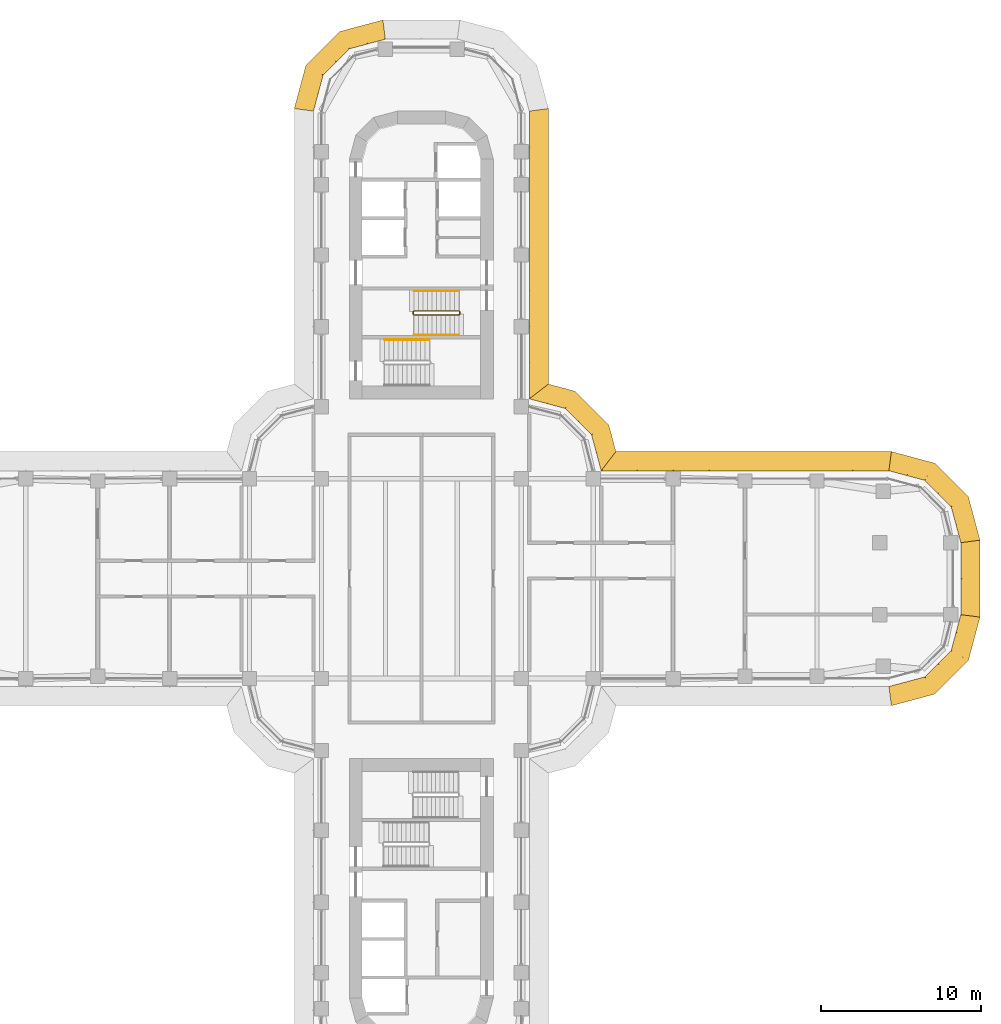
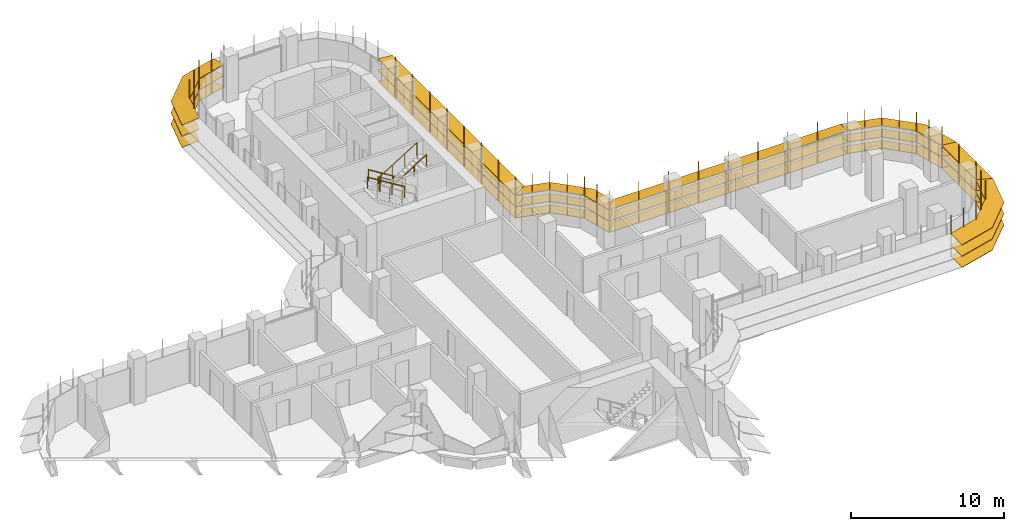
# One storey, part 22 of 23: 7 shading devices, 4 railings.
"""IFC4 building model written with IfcOpenShell, lengths in metres."""

from ifc_helpers import new_model, si_unit, direction, frame, origin, origin_2d, place, context, subcontext, project, spatial, polyline, circle, outline, extrude, faceted_brep, source, transform, mapped, material, type_object, element, save


model = new_model("IFC4")

# Units and contexts
model_context = context("Model", 3, precision=1e-05, world=origin(), true_north=direction((0.0, 1.0)))
body_context = subcontext(model_context, "Body", "Model", "MODEL_VIEW")
ifc_project = project(units=[si_unit("LENGTHUNIT", "METRE"), si_unit("AREAUNIT", "SQUARE_METRE"), si_unit("VOLUMEUNIT", "CUBIC_METRE"), si_unit("PLANEANGLEUNIT", "RADIAN"), si_unit("MASSUNIT", "GRAM", prefix="KILO")], contexts=[model_context])

# Site, building, storey
site_placement = place(None, origin())
site = spatial("IfcSite", under=ifc_project, at=site_placement, CompositionType="ELEMENT")
building_placement = place(site_placement, origin())
building = spatial("IfcBuilding", under=site, at=building_placement, Name="Zarbagh Exchange Tower", CompositionType="ELEMENT")
storey_placement = place(building_placement, frame((0.0, 0.0, 86.60009765625)))
storey = spatial("IfcBuildingStorey", under=building, at=storey_placement, Name="L19", CompositionType="ELEMENT", Elevation=86.60009765625)

# Railings
ifc_material_1 = material(Name="Stainless steel", Category="steel")
railing_type_1 = type_object("IfcRailingType", Name="Stair guard 1100 mm", PredefinedType="GUARDRAIL", material=ifc_material_1)
railing_1_placement = place(storey_placement, frame((-0.449951171875, 16.5, 2.072509765625)))
element("IfcRailing", 1, at=railing_1_placement, inside=storey, type_object=railing_type_1, Name="ST1 stair guard 1", PredefinedType="GUARDRAIL", context=body_context, shape_type="SweptSolid", body=[
    extrude(circle(Radius=0.02392578125, at=origin_2d()), frame((0.0, 0.0, 1.076171875), z_axis=(0.851089632645, 0.0, 0.525020415988), x_axis=(0.0, 1.0, 0.0)), (0.0, 0.0, 1.0), 3.2900390625),
    extrude(circle(Radius=0.02392578125, at=origin_2d()), frame((2.800048828125, 0.0, 2.80322265625), z_axis=(0.013104908129, 0.013169147875, -0.999827402569), x_axis=(-0.708833529934, 0.705375805398, 0.0)), (0.0, 0.0, 1.0), 3.800537109375),
    extrude(circle(Radius=0.02392578125, at=origin_2d()), frame((2.849853515625, 0.050048828125, -0.99658203125), z_axis=(0.0, 1.0, 0.0), x_axis=(-1.0, 0.0, 0.0)), (0.0, 0.0, 1.0), 0.14990234375),
    extrude(circle(Radius=0.02392578125, at=origin_2d()), frame((2.849853515625, 0.199951171875, -0.99658203125), z_axis=(-0.267062837333, 0.268371968888, 0.925556009775), x_axis=(-0.708833529934, -0.705375805398, 0.0)), (0.0, 0.0, 1.0), 0.1865234375),
    extrude(circle(Radius=0.02392578125, at=origin_2d()), frame((2.800048828125, 0.25, -0.82373046875), z_axis=(-0.851089632645, 0.0, 0.525020415988), x_axis=(0.0, -1.0, 0.0)), (0.0, 0.0, 1.0), 3.2900390625),
    extrude(circle(Radius=0.02392578125, at=origin_2d()), frame((0.0, 0.25, 0.9033203125), z_axis=(-0.707106781187, -0.707106781187, 0.0), x_axis=(0.707106781187, -0.707106781187, 0.0)), (0.0, 0.0, 1.0), 0.07080078125),
    extrude(circle(Radius=0.02392578125, at=origin_2d()), frame((-0.050048828125, 0.199951171875, 0.9033203125), z_axis=(0.0, -1.0, 0.0), x_axis=(1.0, 0.0, 0.0)), (0.0, 0.0, 1.0), 0.14990234375),
    extrude(circle(Radius=0.02099609375, at=origin_2d()), origin(), (0.0, 0.0, 1.0), 1.052001953125),
    extrude(circle(Radius=0.02099609375, at=origin_2d()), frame((0.933349609375, 0.0, 0.57568359375)), (0.0, 0.0, 1.0), 1.052001953125),
    extrude(circle(Radius=0.02099609375, at=origin_2d()), frame((1.86669921875, 0.0, 1.151611328125)), (0.0, 0.0, 1.0), 1.052001953125),
    extrude(circle(Radius=0.02099609375, at=origin_2d()), frame((2.800048828125, 0.0, 1.727294921875)), (0.0, 0.0, 1.0), 1.052001953125),
    extrude(circle(Radius=0.02099609375, at=origin_2d()), frame((2.8125, 0.012451171875, 0.77734375)), (0.0, 0.0, 1.0), 1.052001953125),
    extrude(circle(Radius=0.02099609375, at=origin_2d()), frame((2.824951171875, 0.02490234375, -0.172607421875)), (0.0, 0.0, 1.0), 1.052001953125),
    extrude(circle(Radius=0.02099609375, at=origin_2d()), frame((2.83740234375, 0.03759765625, -1.12255859375)), (0.0, 0.0, 1.0), 1.052001953125),
    extrude(circle(Radius=0.02099609375, at=origin_2d()), frame((2.849853515625, 0.050048828125, -2.072509765625)), (0.0, 0.0, 1.0), 1.052001953125),
    extrude(circle(Radius=0.02099609375, at=origin_2d()), frame((2.849853515625, 0.199951171875, -2.072509765625)), (0.0, 0.0, 1.0), 1.052001953125),
    extrude(circle(Radius=0.02099609375, at=origin_2d()), frame((2.800048828125, 0.25, -1.89990234375)), (0.0, 0.0, 1.0), 1.052001953125),
    extrude(circle(Radius=0.02099609375, at=origin_2d()), frame((1.86669921875, 0.25, -1.32421875)), (0.0, 0.0, 1.0), 1.052001953125),
    extrude(circle(Radius=0.02099609375, at=origin_2d()), frame((0.933349609375, 0.25, -0.748291015625)), (0.0, 0.0, 1.0), 1.052001953125),
    extrude(circle(Radius=0.02099609375, at=origin_2d()), frame((0.0, 0.25, -0.172607421875)), (0.0, 0.0, 1.0), 1.052001953125),
    extrude(circle(Radius=0.02099609375, at=origin_2d()), frame((-0.050048828125, 0.199951171875, -0.172607421875)), (0.0, 0.0, 1.0), 1.052001953125),
    extrude(circle(Radius=0.02099609375, at=origin_2d()), frame((-0.050048828125, 0.050048828125, -0.172607421875)), (0.0, 0.0, 1.0), 1.052001953125),
])
railing_type_2 = type_object("IfcRailingType", Name="Stair handrail 900 mm", PredefinedType="HANDRAIL", material=ifc_material_1)
railing_2_placement = place(storey_placement, frame((2.35009765625, 18.0, 0.172607421875)))
element("IfcRailing", 2, at=railing_2_placement, inside=storey, type_object=railing_type_2, Name="ST1 stair handrail 1", PredefinedType="HANDRAIL", context=body_context, shape_type="SweptSolid", body=[
    extrude(circle(Radius=0.02392578125, at=origin_2d()), frame((0.0, 0.0, 0.8759765625), z_axis=(-0.851089632645, 0.0, 0.525020415988), x_axis=(0.0, -1.0, 0.0)), (0.0, 0.0, 1.0), 3.2900390625),
    extrude(circle(Radius=0.02099609375, at=origin_2d()), origin(), (0.0, 0.0, 1.0), 0.851806640625),
    extrude(circle(Radius=0.02099609375, at=origin_2d()), frame((-0.933349609375, 0.0, 0.57568359375)), (0.0, 0.0, 1.0), 0.851806640625),
    extrude(circle(Radius=0.02099609375, at=origin_2d()), frame((-1.86669921875, 0.0, 1.151611328125)), (0.0, 0.0, 1.0), 0.851806640625),
    extrude(circle(Radius=0.02099609375, at=origin_2d()), frame((-2.800048828125, 0.0, 1.727294921875)), (0.0, 0.0, 1.0), 0.851806640625),
])
railing_3_placement = place(storey_placement, frame((-0.449951171875, 15.25, 2.072509765625)))
element("IfcRailing", 3, at=railing_3_placement, inside=storey, type_object=railing_type_2, Name="ST1 stair handrail 2", PredefinedType="HANDRAIL", context=body_context, shape_type="SweptSolid", body=[
    extrude(circle(Radius=0.02392578125, at=origin_2d()), frame((0.0, 0.0, 0.8759765625), z_axis=(0.851089632645, 0.0, 0.525020415988), x_axis=(0.0, 1.0, 0.0)), (0.0, 0.0, 1.0), 3.2900390625),
    extrude(circle(Radius=0.02099609375, at=origin_2d()), origin(), (0.0, 0.0, 1.0), 0.851806640625),
    extrude(circle(Radius=0.02099609375, at=origin_2d()), frame((0.933349609375, 0.0, 0.57568359375)), (0.0, 0.0, 1.0), 0.851806640625),
    extrude(circle(Radius=0.02099609375, at=origin_2d()), frame((1.86669921875, 0.0, 1.151611328125)), (0.0, 0.0, 1.0), 0.851806640625),
    extrude(circle(Radius=0.02099609375, at=origin_2d()), frame((2.800048828125, 0.0, 1.727294921875)), (0.0, 0.0, 1.0), 0.851806640625),
])
railing_4_placement = place(storey_placement, frame((0.5, 14.949951171875, 2.072509765625)))
element("IfcRailing", 4, at=railing_4_placement, inside=storey, type_object=railing_type_2, Name="ST2 stair handrail 2", PredefinedType="HANDRAIL", context=body_context, shape_type="SweptSolid", body=[
    extrude(circle(Radius=0.02392578125, at=origin_2d()), frame((0.0, 0.0, 0.8759765625), z_axis=(-0.851089632645, 0.0, 0.525020415988), x_axis=(0.0, -1.0, 0.0)), (0.0, 0.0, 1.0), 3.2900390625),
    extrude(circle(Radius=0.02099609375, at=origin_2d()), origin(), (0.0, 0.0, 1.0), 0.851806640625),
    extrude(circle(Radius=0.02099609375, at=origin_2d()), frame((-0.933349609375, 0.0, 0.57568359375)), (0.0, 0.0, 1.0), 0.851806640625),
    extrude(circle(Radius=0.02099609375, at=origin_2d()), frame((-1.86669921875, 0.0, 1.151611328125)), (0.0, 0.0, 1.0), 0.851806640625),
    extrude(circle(Radius=0.02099609375, at=origin_2d()), frame((-2.800048828125, 0.0, 1.727294921875)), (0.0, 0.0, 1.0), 0.851806640625),
])

# Shading devices
ifc_material_2 = material(Name="Anodised aluminium blades and brackets", Category="aluminium")
shading_device_type = type_object("IfcShadingDeviceType", Name="SUNSHADE louvre band, 11.25 degree blades", PredefinedType="JALOUSIE", material=ifc_material_2)
shared_shape_1 = source(origin(), body_context, "Body", "Brep", [
    faceted_brep([(0.0, 0.0, 0.0), (0.0, 0.0, -0.040771484375), (-0.157958984375, -1.199951171875, -0.279541015625), (-0.157958984375, -1.199951171875, -0.23876953125), (2.65087890625, -1.199951171875, -0.23876953125), (2.65087890625, -1.199951171875, -0.279541015625), (2.329345703125, 0.0, -0.040771484375), (2.329345703125, 0.0, 0.0)], [[[0, 1, 2, 3]], [[4, 5, 6, 7]], [[0, 7, 6, 1]], [[1, 6, 5, 2]], [[2, 5, 4, 3]], [[3, 4, 7, 0]]]),
])
shared_shape_2 = source(origin(), body_context, "Body", "Brep", [
    faceted_brep([(0.0, 0.0, 0.0), (0.0, 0.0, -0.040771484375), (-0.321533203125, -1.199951171875, -0.279541015625), (-0.321533203125, -1.199951171875, -0.23876953125), (2.65087890625, -1.199951171875, -0.23876953125), (2.65087890625, -1.199951171875, -0.279541015625), (2.329345703125, 0.0, -0.040771484375), (2.329345703125, 0.0, 0.0)], [[[0, 1, 2, 3]], [[4, 5, 6, 7]], [[0, 7, 6, 1]], [[1, 6, 5, 2]], [[2, 5, 4, 3]], [[3, 4, 7, 0]]]),
])
shared_shape_3 = source(origin(), body_context, "Body", "Brep", [
    faceted_brep([(0.0, 0.0, 0.0), (0.0, 0.0, -0.040771484375), (-0.321533203125, -1.199951171875, -0.279541015625), (-0.321533203125, -1.199951171875, -0.23876953125), (2.4873046875, -1.199951171875, -0.23876953125), (2.4873046875, -1.199951171875, -0.279541015625), (2.329345703125, 0.0, -0.040771484375), (2.329345703125, 0.0, 0.0)], [[[0, 1, 2, 3]], [[4, 5, 6, 7]], [[0, 7, 6, 1]], [[1, 6, 5, 2]], [[2, 5, 4, 3]], [[3, 4, 7, 0]]]),
])
shared_shape_4 = source(origin(), body_context, "Body", "SweptSolid", [
    extrude(outline(polyline([(0.0, -0.012451171875), (0.06005859375, -0.012451171875), (0.06005859375, 0.012451171875), (0.0, 0.012451171875), (0.0, -0.012451171875)])), origin(), (0.0, 0.0, 1.0), 3.350830078125),
])
placement = place(storey_placement, origin())
element("IfcShadingDevice", 5, at=placement, inside=storey, type_object=shading_device_type, Name="SS05 sunshade band", PredefinedType="JALOUSIE", context=body_context, shape_type="MappedRepresentation", body=[
    mapped(shared_shape_1, transform((29.25, -6.75, 2.2998046875), x_axis=(0.965924289636, 0.258824779902, 0.0), y_axis=(-0.258824779902, 0.965924289636, 0.0), z_axis=(0.0, 0.0, 1.0))),
    mapped(shared_shape_1, transform((29.25, -6.75, 1.39990234375), x_axis=(0.965924289636, 0.258824779902, 0.0), y_axis=(-0.258824779902, 0.965924289636, 0.0), z_axis=(0.0, 0.0, 1.0))),
    mapped(shared_shape_1, transform((29.25, -6.75, 0.5), x_axis=(0.965924289636, 0.258824779902, 0.0), y_axis=(-0.258824779902, 0.965924289636, 0.0), z_axis=(0.0, 0.0, 1.0))),
    mapped(shared_shape_2, transform((31.5, -6.147216796875, 2.2998046875), x_axis=(0.707106781187, 0.707106781187, 0.0), y_axis=(-0.707106781187, 0.707106781187, 0.0), z_axis=(0.0, 0.0, 1.0))),
    mapped(shared_shape_2, transform((31.5, -6.147216796875, 1.39990234375), x_axis=(0.707106781187, 0.707106781187, 0.0), y_axis=(-0.707106781187, 0.707106781187, 0.0), z_axis=(0.0, 0.0, 1.0))),
    mapped(shared_shape_2, transform((31.5, -6.147216796875, 0.5), x_axis=(0.707106781187, 0.707106781187, 0.0), y_axis=(-0.707106781187, 0.707106781187, 0.0), z_axis=(0.0, 0.0, 1.0))),
    mapped(shared_shape_3, transform((33.147216796875, -4.5, 2.2998046875), x_axis=(0.258824779902, 0.965924289636, 0.0), y_axis=(-0.965924289636, 0.258824779902, 0.0), z_axis=(0.0, 0.0, 1.0))),
    mapped(shared_shape_3, transform((33.147216796875, -4.5, 1.39990234375), x_axis=(0.258824779902, 0.965924289636, 0.0), y_axis=(-0.965924289636, 0.258824779902, 0.0), z_axis=(0.0, 0.0, 1.0))),
    mapped(shared_shape_3, transform((33.147216796875, -4.5, 0.5), x_axis=(0.258824779902, 0.965924289636, 0.0), y_axis=(-0.965924289636, 0.258824779902, 0.0), z_axis=(0.0, 0.0, 1.0))),
    mapped(shared_shape_4, transform((29.25, -6.75, 0.42919921875), x_axis=(0.130529263012, -0.991444457092, 0.0), y_axis=(0.991444457092, 0.130529263012, 0.0), z_axis=(0.0, 0.0, 1.0))),
    mapped(shared_shape_4, transform((30.375, -6.448486328125, 0.42919921875), x_axis=(0.258825058029, -0.96592421511, 0.0), y_axis=(0.96592421511, 0.258825058029, 0.0), z_axis=(0.0, 0.0, 1.0))),
    mapped(shared_shape_4, transform((31.5, -6.147216796875, 0.42919921875), x_axis=(0.50000275701, -0.866023812018, 0.0), y_axis=(0.866023812018, 0.50000275701, 0.0), z_axis=(0.0, 0.0, 1.0))),
    mapped(shared_shape_4, transform((32.323486328125, -5.323486328125, 0.42919921875), x_axis=(0.707106781187, -0.707106781187, 0.0), y_axis=(0.707106781187, 0.707106781187, 0.0), z_axis=(0.0, 0.0, 1.0))),
    mapped(shared_shape_4, transform((33.147216796875, -4.5, 0.42919921875), x_axis=(0.866023812018, -0.50000275701, 0.0), y_axis=(0.50000275701, 0.866023812018, 0.0), z_axis=(0.0, 0.0, 1.0))),
    mapped(shared_shape_4, transform((33.448486328125, -3.375, 0.42919921875), x_axis=(0.96592421511, -0.258825058029, 0.0), y_axis=(0.258825058029, 0.96592421511, 0.0), z_axis=(0.0, 0.0, 1.0))),
])
element("IfcShadingDevice", 6, at=placement, inside=storey, type_object=shading_device_type, Name="SS07 sunshade band", PredefinedType="JALOUSIE", context=body_context, shape_type="MappedRepresentation", body=[
    mapped(shared_shape_1, transform((33.75, 2.25, 2.2998046875), x_axis=(-0.258824779902, 0.965924289636, 0.0), y_axis=(-0.965924289636, -0.258824779902, 0.0), z_axis=(0.0, 0.0, 1.0))),
    mapped(shared_shape_1, transform((33.75, 2.25, 1.39990234375), x_axis=(-0.258824779902, 0.965924289636, 0.0), y_axis=(-0.965924289636, -0.258824779902, 0.0), z_axis=(0.0, 0.0, 1.0))),
    mapped(shared_shape_1, transform((33.75, 2.25, 0.5), x_axis=(-0.258824779902, 0.965924289636, 0.0), y_axis=(-0.965924289636, -0.258824779902, 0.0), z_axis=(0.0, 0.0, 1.0))),
    mapped(shared_shape_2, transform((33.147216796875, 4.5, 2.2998046875), x_axis=(-0.707106781187, 0.707106781187, 0.0), y_axis=(-0.707106781187, -0.707106781187, 0.0), z_axis=(0.0, 0.0, 1.0))),
    mapped(shared_shape_2, transform((33.147216796875, 4.5, 1.39990234375), x_axis=(-0.707106781187, 0.707106781187, 0.0), y_axis=(-0.707106781187, -0.707106781187, 0.0), z_axis=(0.0, 0.0, 1.0))),
    mapped(shared_shape_2, transform((33.147216796875, 4.5, 0.5), x_axis=(-0.707106781187, 0.707106781187, 0.0), y_axis=(-0.707106781187, -0.707106781187, 0.0), z_axis=(0.0, 0.0, 1.0))),
    mapped(shared_shape_3, transform((31.5, 6.147216796875, 2.2998046875), x_axis=(-0.965924289636, 0.258824779902, 0.0), y_axis=(-0.258824779902, -0.965924289636, 0.0), z_axis=(0.0, 0.0, 1.0))),
    mapped(shared_shape_3, transform((31.5, 6.147216796875, 1.39990234375), x_axis=(-0.965924289636, 0.258824779902, 0.0), y_axis=(-0.258824779902, -0.965924289636, 0.0), z_axis=(0.0, 0.0, 1.0))),
    mapped(shared_shape_3, transform((31.5, 6.147216796875, 0.5), x_axis=(-0.965924289636, 0.258824779902, 0.0), y_axis=(-0.258824779902, -0.965924289636, 0.0), z_axis=(0.0, 0.0, 1.0))),
    mapped(shared_shape_4, transform((33.75, 2.25, 0.42919921875), x_axis=(0.991444457092, 0.130529263012, 0.0), y_axis=(-0.130529263012, 0.991444457092, 0.0), z_axis=(0.0, 0.0, 1.0))),
    mapped(shared_shape_4, transform((33.448486328125, 3.375, 0.42919921875), x_axis=(0.96592421511, 0.258825058029, 0.0), y_axis=(-0.258825058029, 0.96592421511, 0.0), z_axis=(0.0, 0.0, 1.0))),
    mapped(shared_shape_4, transform((33.147216796875, 4.5, 0.42919921875), x_axis=(0.866023812018, 0.50000275701, 0.0), y_axis=(-0.50000275701, 0.866023812018, 0.0), z_axis=(0.0, 0.0, 1.0))),
    mapped(shared_shape_4, transform((32.323486328125, 5.323486328125, 0.42919921875), x_axis=(0.707106781187, 0.707106781187, 0.0), y_axis=(-0.707106781187, 0.707106781187, 0.0), z_axis=(0.0, 0.0, 1.0))),
    mapped(shared_shape_4, transform((31.5, 6.147216796875, 0.42919921875), x_axis=(0.50000275701, 0.866023812018, 0.0), y_axis=(-0.866023812018, 0.50000275701, 0.0), z_axis=(0.0, 0.0, 1.0))),
    mapped(shared_shape_4, transform((30.375, 6.448486328125, 0.42919921875), x_axis=(0.258825058029, 0.96592421511, 0.0), y_axis=(-0.96592421511, 0.258825058029, 0.0), z_axis=(0.0, 0.0, 1.0))),
])
element("IfcShadingDevice", 7, at=placement, inside=storey, type_object=shading_device_type, Name="SS13 sunshade band", PredefinedType="JALOUSIE", context=body_context, shape_type="MappedRepresentation", body=[
    mapped(shared_shape_1, transform((-2.25, 33.75, 2.2998046875), x_axis=(-0.965924289636, -0.258824779902, 0.0), y_axis=(0.258824779902, -0.965924289636, 0.0), z_axis=(0.0, 0.0, 1.0))),
    mapped(shared_shape_1, transform((-2.25, 33.75, 1.39990234375), x_axis=(-0.965924289636, -0.258824779902, 0.0), y_axis=(0.258824779902, -0.965924289636, 0.0), z_axis=(0.0, 0.0, 1.0))),
    mapped(shared_shape_1, transform((-2.25, 33.75, 0.5), x_axis=(-0.965924289636, -0.258824779902, 0.0), y_axis=(0.258824779902, -0.965924289636, 0.0), z_axis=(0.0, 0.0, 1.0))),
    mapped(shared_shape_2, transform((-4.5, 33.147216796875, 2.2998046875), x_axis=(-0.707106781187, -0.707106781187, 0.0), y_axis=(0.707106781187, -0.707106781187, 0.0), z_axis=(0.0, 0.0, 1.0))),
    mapped(shared_shape_2, transform((-4.5, 33.147216796875, 1.39990234375), x_axis=(-0.707106781187, -0.707106781187, 0.0), y_axis=(0.707106781187, -0.707106781187, 0.0), z_axis=(0.0, 0.0, 1.0))),
    mapped(shared_shape_2, transform((-4.5, 33.147216796875, 0.5), x_axis=(-0.707106781187, -0.707106781187, 0.0), y_axis=(0.707106781187, -0.707106781187, 0.0), z_axis=(0.0, 0.0, 1.0))),
    mapped(shared_shape_3, transform((-6.147216796875, 31.5, 2.2998046875), x_axis=(-0.258824779902, -0.965924289636, 0.0), y_axis=(0.965924289636, -0.258824779902, 0.0), z_axis=(0.0, 0.0, 1.0))),
    mapped(shared_shape_3, transform((-6.147216796875, 31.5, 1.39990234375), x_axis=(-0.258824779902, -0.965924289636, 0.0), y_axis=(0.965924289636, -0.258824779902, 0.0), z_axis=(0.0, 0.0, 1.0))),
    mapped(shared_shape_3, transform((-6.147216796875, 31.5, 0.5), x_axis=(-0.258824779902, -0.965924289636, 0.0), y_axis=(0.965924289636, -0.258824779902, 0.0), z_axis=(0.0, 0.0, 1.0))),
    mapped(shared_shape_4, transform((-2.25, 33.75, 0.42919921875), x_axis=(-0.130529263012, 0.991444457092, 0.0), y_axis=(-0.991444457092, -0.130529263012, 0.0), z_axis=(0.0, 0.0, 1.0))),
    mapped(shared_shape_4, transform((-3.375, 33.448486328125, 0.42919921875), x_axis=(-0.258825058029, 0.96592421511, 0.0), y_axis=(-0.96592421511, -0.258825058029, 0.0), z_axis=(0.0, 0.0, 1.0))),
    mapped(shared_shape_4, transform((-4.5, 33.147216796875, 0.42919921875), x_axis=(-0.50000275701, 0.866023812018, 0.0), y_axis=(-0.866023812018, -0.50000275701, 0.0), z_axis=(0.0, 0.0, 1.0))),
    mapped(shared_shape_4, transform((-5.323486328125, 32.323486328125, 0.42919921875), x_axis=(-0.707106781187, 0.707106781187, 0.0), y_axis=(-0.707106781187, -0.707106781187, 0.0), z_axis=(0.0, 0.0, 1.0))),
    mapped(shared_shape_4, transform((-6.147216796875, 31.5, 0.42919921875), x_axis=(-0.866023812018, 0.50000275701, 0.0), y_axis=(-0.50000275701, -0.866023812018, 0.0), z_axis=(0.0, 0.0, 1.0))),
    mapped(shared_shape_4, transform((-6.448486328125, 30.375, 0.42919921875), x_axis=(-0.96592421511, 0.258825058029, 0.0), y_axis=(-0.258825058029, -0.96592421511, 0.0), z_axis=(0.0, 0.0, 1.0))),
])
shared_shape_5 = source(origin(), body_context, "Body", "Brep", [
    faceted_brep([(0.0, 0.0, 0.0), (0.0, 0.0, -0.040771484375), (0.9208984375, -1.199951171875, -0.279541015625), (0.9208984375, -1.199951171875, -0.23876953125), (2.65087890625, -1.199951171875, -0.23876953125), (2.65087890625, -1.199951171875, -0.279541015625), (2.329345703125, 0.0, -0.040771484375), (2.329345703125, 0.0, 0.0)], [[[0, 1, 2, 3]], [[4, 5, 6, 7]], [[0, 7, 6, 1]], [[1, 6, 5, 2]], [[2, 5, 4, 3]], [[3, 4, 7, 0]]]),
])
shared_shape_6 = source(origin(), body_context, "Body", "Brep", [
    faceted_brep([(0.0, 0.0, 0.0), (0.0, 0.0, -0.040771484375), (-0.321533203125, -1.199951171875, -0.279541015625), (-0.321533203125, -1.199951171875, -0.23876953125), (1.40869140625, -1.199951171875, -0.23876953125), (1.40869140625, -1.199951171875, -0.279541015625), (2.329345703125, 0.0, -0.040771484375), (2.329345703125, 0.0, 0.0)], [[[0, 1, 2, 3]], [[4, 5, 6, 7]], [[0, 7, 6, 1]], [[1, 6, 5, 2]], [[2, 5, 4, 3]], [[3, 4, 7, 0]]]),
])
element("IfcShadingDevice", 8, at=placement, inside=storey, type_object=shading_device_type, Name="SS09 sunshade band", PredefinedType="JALOUSIE", context=body_context, shape_type="MappedRepresentation", body=[
    mapped(shared_shape_5, transform((11.25, 6.75, 2.2998046875), x_axis=(-0.258824779902, 0.965924289636, 0.0), y_axis=(-0.965924289636, -0.258824779902, 0.0), z_axis=(0.0, 0.0, 1.0))),
    mapped(shared_shape_5, transform((11.25, 6.75, 1.39990234375), x_axis=(-0.258824779902, 0.965924289636, 0.0), y_axis=(-0.965924289636, -0.258824779902, 0.0), z_axis=(0.0, 0.0, 1.0))),
    mapped(shared_shape_5, transform((11.25, 6.75, 0.5), x_axis=(-0.258824779902, 0.965924289636, 0.0), y_axis=(-0.965924289636, -0.258824779902, 0.0), z_axis=(0.0, 0.0, 1.0))),
    mapped(shared_shape_2, transform((10.647216796875, 9.0, 2.2998046875), x_axis=(-0.707106781187, 0.707106781187, 0.0), y_axis=(-0.707106781187, -0.707106781187, 0.0), z_axis=(0.0, 0.0, 1.0))),
    mapped(shared_shape_2, transform((10.647216796875, 9.0, 1.39990234375), x_axis=(-0.707106781187, 0.707106781187, 0.0), y_axis=(-0.707106781187, -0.707106781187, 0.0), z_axis=(0.0, 0.0, 1.0))),
    mapped(shared_shape_2, transform((10.647216796875, 9.0, 0.5), x_axis=(-0.707106781187, 0.707106781187, 0.0), y_axis=(-0.707106781187, -0.707106781187, 0.0), z_axis=(0.0, 0.0, 1.0))),
    mapped(shared_shape_6, transform((9.0, 10.647216796875, 2.2998046875), x_axis=(-0.965924289636, 0.258824779902, 0.0), y_axis=(-0.258824779902, -0.965924289636, 0.0), z_axis=(0.0, 0.0, 1.0))),
    mapped(shared_shape_6, transform((9.0, 10.647216796875, 1.39990234375), x_axis=(-0.965924289636, 0.258824779902, 0.0), y_axis=(-0.258824779902, -0.965924289636, 0.0), z_axis=(0.0, 0.0, 1.0))),
    mapped(shared_shape_6, transform((9.0, 10.647216796875, 0.5), x_axis=(-0.965924289636, 0.258824779902, 0.0), y_axis=(-0.258824779902, -0.965924289636, 0.0), z_axis=(0.0, 0.0, 1.0))),
    mapped(shared_shape_4, transform((11.25, 6.75, 0.42919921875), x_axis=(0.608758892, 0.793355287, 0.0), y_axis=(-0.793355287, 0.608758892, 0.0), z_axis=(0.0, 0.0, 1.0))),
    mapped(shared_shape_4, transform((10.948486328125, 7.875, 0.42919921875), x_axis=(0.96592421511, 0.258825058029, 0.0), y_axis=(-0.258825058029, 0.96592421511, 0.0), z_axis=(0.0, 0.0, 1.0))),
    mapped(shared_shape_4, transform((10.647216796875, 9.0, 0.42919921875), x_axis=(0.866023812018, 0.50000275701, 0.0), y_axis=(-0.50000275701, 0.866023812018, 0.0), z_axis=(0.0, 0.0, 1.0))),
    mapped(shared_shape_4, transform((9.823486328125, 9.823486328125, 0.42919921875), x_axis=(0.707106781187, 0.707106781187, 0.0), y_axis=(-0.707106781187, 0.707106781187, 0.0), z_axis=(0.0, 0.0, 1.0))),
    mapped(shared_shape_4, transform((9.0, 10.647216796875, 0.42919921875), x_axis=(0.50000275701, 0.866023812018, 0.0), y_axis=(-0.866023812018, 0.50000275701, 0.0), z_axis=(0.0, 0.0, 1.0))),
    mapped(shared_shape_4, transform((7.875, 10.948486328125, 0.42919921875), x_axis=(0.258825058029, 0.96592421511, 0.0), y_axis=(-0.96592421511, 0.258825058029, 0.0), z_axis=(0.0, 0.0, 1.0))),
])
shared_shape_7 = source(origin(), body_context, "Body", "Brep", [
    faceted_brep([(0.0, 0.0, 0.0), (0.0, 0.0, -0.040771484375), (-0.157958984375, -1.199951171875, -0.279541015625), (-0.157958984375, -1.199951171875, -0.23876953125), (4.657958984375, -1.199951171875, -0.23876953125), (4.657958984375, -1.199951171875, -0.279541015625), (4.5, 0.0, -0.040771484375), (4.5, 0.0, 0.0)], [[[0, 1, 2, 3]], [[4, 5, 6, 7]], [[0, 7, 6, 1]], [[1, 6, 5, 2]], [[2, 5, 4, 3]], [[3, 4, 7, 0]]]),
])
element("IfcShadingDevice", 9, at=placement, inside=storey, type_object=shading_device_type, Name="SS06 sunshade band", PredefinedType="JALOUSIE", context=body_context, shape_type="MappedRepresentation", body=[
    mapped(shared_shape_7, transform((33.75, -2.25, 2.2998046875), x_axis=(0.0, 1.0, 0.0), y_axis=(-1.0, 0.0, 0.0), z_axis=(0.0, 0.0, 1.0))),
    mapped(shared_shape_7, transform((33.75, -2.25, 1.39990234375), x_axis=(0.0, 1.0, 0.0), y_axis=(-1.0, 0.0, 0.0), z_axis=(0.0, 0.0, 1.0))),
    mapped(shared_shape_7, transform((33.75, -2.25, 0.5), x_axis=(0.0, 1.0, 0.0), y_axis=(-1.0, 0.0, 0.0), z_axis=(0.0, 0.0, 1.0))),
    mapped(shared_shape_4, transform((33.75, -2.25, 0.42919921875), x_axis=(0.991444457092, -0.130529263012, 0.0), y_axis=(0.130529263012, 0.991444457092, 0.0), z_axis=(0.0, 0.0, 1.0))),
    mapped(shared_shape_4, transform((33.75, 0.0, 0.42919921875), x_axis=(1.0, 0.0, 0.0), y_axis=(0.0, 1.0, 0.0), z_axis=(0.0, 0.0, 1.0))),
])
shared_shape_8 = source(origin(), body_context, "Body", "Brep", [
    faceted_brep([(0.0, 0.0, 0.0), (0.0, 0.0, -0.040771484375), (-0.157958984375, -1.199951171875, -0.279541015625), (-0.157958984375, -1.199951171875, -0.23876953125), (17.0791015625, -1.199951171875, -0.23876953125), (17.0791015625, -1.199951171875, -0.279541015625), (18.0, 0.0, -0.040771484375), (18.0, 0.0, 0.0)], [[[0, 1, 2, 3]], [[4, 5, 6, 7]], [[0, 7, 6, 1]], [[1, 6, 5, 2]], [[2, 5, 4, 3]], [[3, 4, 7, 0]]]),
])
element("IfcShadingDevice", 10, at=placement, inside=storey, type_object=shading_device_type, Name="SS08 sunshade band", PredefinedType="JALOUSIE", context=body_context, shape_type="MappedRepresentation", body=[
    mapped(shared_shape_8, transform((29.25, 6.75, 2.2998046875), x_axis=(-1.0, 0.0, 0.0), y_axis=(0.0, -1.0, 0.0), z_axis=(0.0, 0.0, 1.0))),
    mapped(shared_shape_8, transform((29.25, 6.75, 1.39990234375), x_axis=(-1.0, 0.0, 0.0), y_axis=(0.0, -1.0, 0.0), z_axis=(0.0, 0.0, 1.0))),
    mapped(shared_shape_8, transform((29.25, 6.75, 0.5), x_axis=(-1.0, 0.0, 0.0), y_axis=(0.0, -1.0, 0.0), z_axis=(0.0, 0.0, 1.0))),
    mapped(shared_shape_4, transform((29.25, 6.75, 0.42919921875), x_axis=(0.130529263012, 0.991444457092, 0.0), y_axis=(-0.991444457092, 0.130529263012, 0.0), z_axis=(0.0, 0.0, 1.0))),
    mapped(shared_shape_4, transform((27.0, 6.75, 0.42919921875), x_axis=(0.0, 1.0, 0.0), y_axis=(-1.0, 0.0, 0.0), z_axis=(0.0, 0.0, 1.0))),
    mapped(shared_shape_4, transform((24.75, 6.75, 0.42919921875), x_axis=(0.0, 1.0, 0.0), y_axis=(-1.0, 0.0, 0.0), z_axis=(0.0, 0.0, 1.0))),
    mapped(shared_shape_4, transform((22.5, 6.75, 0.42919921875), x_axis=(0.0, 1.0, 0.0), y_axis=(-1.0, 0.0, 0.0), z_axis=(0.0, 0.0, 1.0))),
    mapped(shared_shape_4, transform((20.25, 6.75, 0.42919921875), x_axis=(0.0, 1.0, 0.0), y_axis=(-1.0, 0.0, 0.0), z_axis=(0.0, 0.0, 1.0))),
    mapped(shared_shape_4, transform((18.0, 6.75, 0.42919921875), x_axis=(0.0, 1.0, 0.0), y_axis=(-1.0, 0.0, 0.0), z_axis=(0.0, 0.0, 1.0))),
    mapped(shared_shape_4, transform((15.75, 6.75, 0.42919921875), x_axis=(0.0, 1.0, 0.0), y_axis=(-1.0, 0.0, 0.0), z_axis=(0.0, 0.0, 1.0))),
    mapped(shared_shape_4, transform((13.5, 6.75, 0.42919921875), x_axis=(0.0, 1.0, 0.0), y_axis=(-1.0, 0.0, 0.0), z_axis=(0.0, 0.0, 1.0))),
])
shared_shape_9 = source(origin(), body_context, "Body", "Brep", [
    faceted_brep([(0.0, 0.0, 0.0), (0.0, 0.0, -0.040771484375), (0.9208984375, -1.199951171875, -0.279541015625), (0.9208984375, -1.199951171875, -0.23876953125), (18.157958984375, -1.199951171875, -0.23876953125), (18.157958984375, -1.199951171875, -0.279541015625), (18.0, 0.0, -0.040771484375), (18.0, 0.0, 0.0)], [[[0, 1, 2, 3]], [[4, 5, 6, 7]], [[0, 7, 6, 1]], [[1, 6, 5, 2]], [[2, 5, 4, 3]], [[3, 4, 7, 0]]]),
])
element("IfcShadingDevice", 11, at=placement, inside=storey, type_object=shading_device_type, Name="SS10 sunshade band", PredefinedType="JALOUSIE", context=body_context, shape_type="MappedRepresentation", body=[
    mapped(shared_shape_9, transform((6.75, 11.25, 2.2998046875), x_axis=(0.0, 1.0, 0.0), y_axis=(-1.0, 0.0, 0.0), z_axis=(0.0, 0.0, 1.0))),
    mapped(shared_shape_9, transform((6.75, 11.25, 1.39990234375), x_axis=(0.0, 1.0, 0.0), y_axis=(-1.0, 0.0, 0.0), z_axis=(0.0, 0.0, 1.0))),
    mapped(shared_shape_9, transform((6.75, 11.25, 0.5), x_axis=(0.0, 1.0, 0.0), y_axis=(-1.0, 0.0, 0.0), z_axis=(0.0, 0.0, 1.0))),
    mapped(shared_shape_4, transform((6.75, 11.25, 0.42919921875), x_axis=(0.793355287, 0.608758892, 0.0), y_axis=(-0.608758892, 0.793355287, 0.0), z_axis=(0.0, 0.0, 1.0))),
    mapped(shared_shape_4, transform((6.75, 13.5, 0.42919921875), x_axis=(1.0, 0.0, 0.0), y_axis=(0.0, 1.0, 0.0), z_axis=(0.0, 0.0, 1.0))),
    mapped(shared_shape_4, transform((6.75, 15.75, 0.42919921875), x_axis=(1.0, 0.0, 0.0), y_axis=(0.0, 1.0, 0.0), z_axis=(0.0, 0.0, 1.0))),
    mapped(shared_shape_4, transform((6.75, 18.0, 0.42919921875), x_axis=(1.0, 0.0, 0.0), y_axis=(0.0, 1.0, 0.0), z_axis=(0.0, 0.0, 1.0))),
    mapped(shared_shape_4, transform((6.75, 20.25, 0.42919921875), x_axis=(1.0, 0.0, 0.0), y_axis=(0.0, 1.0, 0.0), z_axis=(0.0, 0.0, 1.0))),
    mapped(shared_shape_4, transform((6.75, 22.5, 0.42919921875), x_axis=(1.0, 0.0, 0.0), y_axis=(0.0, 1.0, 0.0), z_axis=(0.0, 0.0, 1.0))),
    mapped(shared_shape_4, transform((6.75, 24.75, 0.42919921875), x_axis=(1.0, 0.0, 0.0), y_axis=(0.0, 1.0, 0.0), z_axis=(0.0, 0.0, 1.0))),
    mapped(shared_shape_4, transform((6.75, 27.0, 0.42919921875), x_axis=(1.0, 0.0, 0.0), y_axis=(0.0, 1.0, 0.0), z_axis=(0.0, 0.0, 1.0))),
])

save(model, "model.ifc")
